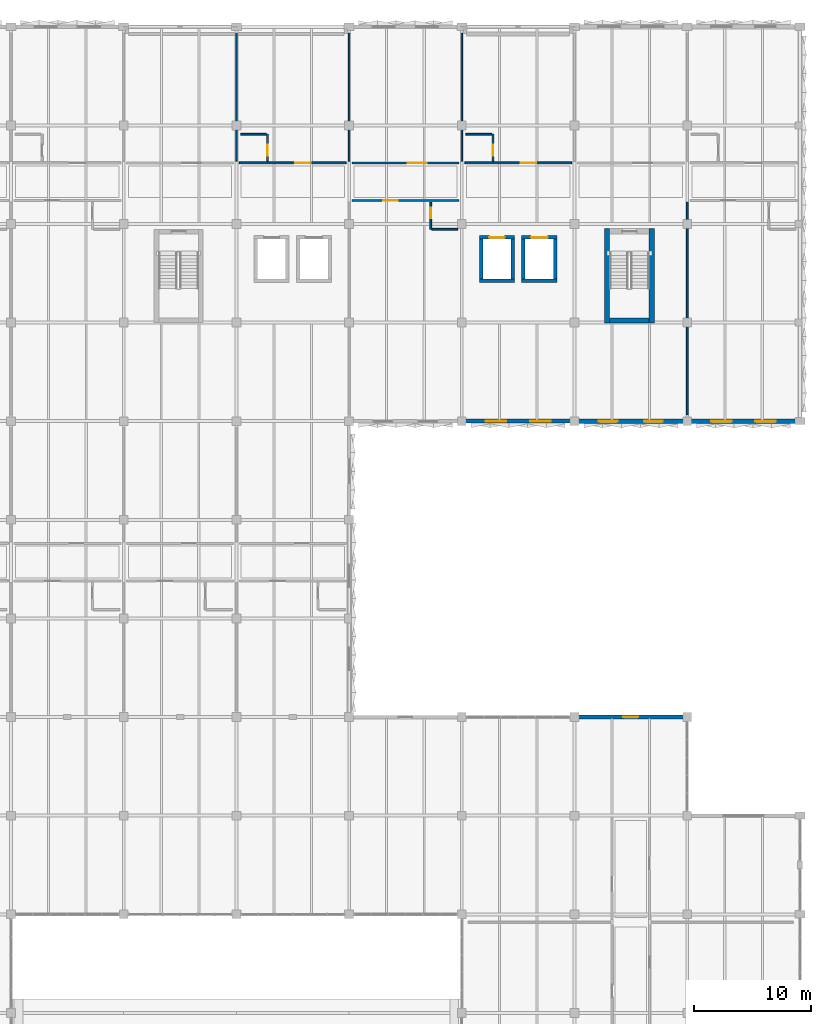
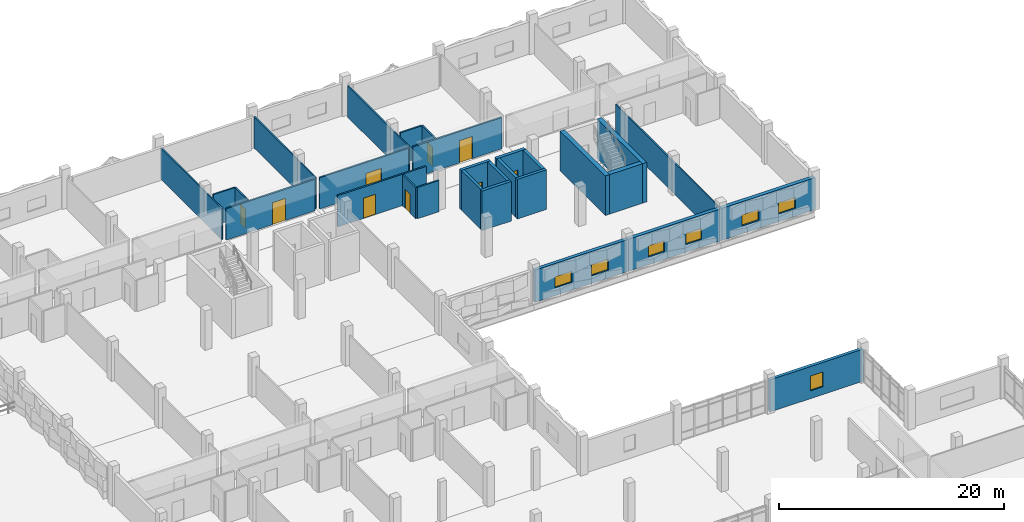
# One storey, part 65 of 86: 29 walls, 9 doors, 7 windows, 16 openings.
"""IFC4 building model written with IfcOpenShell, lengths in metres."""

from ifc_helpers import new_model, si_unit, direction, frame, frame_2d, origin, place, context, subcontext, project, spatial, rectangle, extrude, material, layer, layer_set, type_object, element, fill, save


model = new_model("IFC4")

# Units and contexts
model_context = context("Model", 3, precision=1e-05, world=origin(), true_north=direction((0.0, 1.0)))
body_context = subcontext(model_context, "Body", "Model", "MODEL_VIEW")
ifc_project = project(units=[si_unit("LENGTHUNIT", "METRE"), si_unit("AREAUNIT", "SQUARE_METRE"), si_unit("VOLUMEUNIT", "CUBIC_METRE"), si_unit("PLANEANGLEUNIT", "RADIAN"), si_unit("MASSUNIT", "GRAM", prefix="KILO")], contexts=[model_context])

# Site, building, storey
site_placement = place(None, origin())
site = spatial("IfcSite", under=ifc_project, at=site_placement, CompositionType="ELEMENT")
building_placement = place(site_placement, origin())
building = spatial("IfcBuilding", under=site, at=building_placement, Name="Oolite Switchyard Hospital", CompositionType="ELEMENT")
storey_placement = place(building_placement, frame((0.0, 0.0, 13.5)))
storey = spatial("IfcBuildingStorey", under=building, at=storey_placement, Name="L03", CompositionType="ELEMENT", Elevation=13.5)

# Wall, opening, window
ifc_material_1 = material(Name="Precast oolitic limestone architectural concrete C40/50", Category="masonry")
ifc_layer_1 = layer(ifc_material_1, 0.320068359375)
ifc_layer_set_1 = layer_set([ifc_layer_1], Name="WAL-EXT-320")
wall_type_1 = type_object("IfcWallType", Name="WAL-EXT-320", PredefinedType="SOLIDWALL", material=ifc_layer_set_1)
wall_1_placement = place(storey_placement, frame((192.0, 75.60009765625, 0.0), z_axis=(0.0, 0.0, 1.0), x_axis=(1.0, 0.0, 0.0)))
wall_1 = element("IfcWall", 1, at=wall_1_placement, inside=storey, type_object=wall_type_1, Name="L03 Exterior Spandrel Wall 182", PredefinedType="SOLIDWALL", context=body_context, shape_type="SweptSolid", body=[
    extrude(rectangle(XDim=9.60009765625, YDim=0.320068359375, at=frame_2d((4.800048828125, 0.0))), origin(), (0.0, 0.0, 1.0), 3.489990234375),
])
opening_1_placement = place(wall_1_placement, frame((4.14990234375, 0.0, 0.85009765625)))
opening_1 = element("IfcOpeningElement", 2, at=opening_1_placement, cuts=wall_1, Name="Opening WN-0074", PredefinedType="OPENING", context=body_context, shape_type="SweptSolid", body=[
    extrude(rectangle(XDim=1.300048828125, YDim=1.60009765625, at=frame_2d((0.64990234375, 0.800048828125))), frame((0.0, 0.169921875, 0.0), z_axis=(0.0, -1.0, 0.0), x_axis=(1.0, 0.0, 0.0)), (0.0, 0.0, 1.0), 0.340087890625),
])
ifc_material_2 = material(Name="Thermally broken aluminum frame with laminated impact glazing", Category="aluminium")
window_type_1 = type_object("IfcWindowType", Name="WIN-IMP-130X160", PartitioningType="SINGLE_PANEL", PredefinedType="WINDOW", material=ifc_material_2)
window_1_placement = place(opening_1_placement, origin())
window_1 = element("IfcWindow", 3, at=window_1_placement, inside=storey, type_object=window_type_1, Name="L03 Hurricane Impact Window WN-0074", OverallHeight=1.60009765625, OverallWidth=1.300048828125, PartitioningType="SINGLE_PANEL", PredefinedType="WINDOW", context=body_context, shape_type="SweptSolid", body=[
    extrude(rectangle(XDim=1.300048828125, YDim=1.60009765625, at=frame_2d((0.64990234375, 0.800048828125))), frame((0.0, 0.030029296875, 0.0), z_axis=(0.0, -1.0, 0.0), x_axis=(1.0, 0.0, 0.0)), (0.0, 0.0, 1.0), 0.06005859375),
])
fill(opening_1, window_1)

# Wall, openings, windows
ifc_layer_2 = layer(ifc_material_1, 0.340087890625)
ifc_layer_set_2 = layer_set([ifc_layer_2], Name="WAL-EXT-340")
wall_type_2 = type_object("IfcWallType", Name="WAL-EXT-340", PredefinedType="SOLIDWALL", material=ifc_layer_set_2)
wall_2_placement = place(storey_placement, frame((192.0, 100.800048828125, 0.0), z_axis=(0.0, 0.0, 1.0), x_axis=(-1.0, 0.0, 0.0)))
wall_2 = element("IfcWall", 4, at=wall_2_placement, inside=storey, type_object=wall_type_2, Name="L03 Exterior Spandrel Wall 197", PredefinedType="SOLIDWALL", context=body_context, shape_type="SweptSolid", body=[
    extrude(rectangle(XDim=9.60009765625, YDim=0.340087890625, at=frame_2d((4.800048828125, 0.0))), origin(), (0.0, 0.0, 1.0), 3.489990234375),
])
opening_2_placement = place(wall_2_placement, frame((2.041015625, 0.0, 0.85009765625)))
opening_2 = element("IfcOpeningElement", 5, at=opening_2_placement, cuts=wall_2, Name="Opening WN-0095", PredefinedType="OPENING", context=body_context, shape_type="SweptSolid", body=[
    extrude(rectangle(XDim=1.75, YDim=1.199951171875, at=frame_2d((0.875, 0.60009765625))), frame((0.0, 0.18017578125, 0.0), z_axis=(0.0, -1.0, 0.0), x_axis=(1.0, 0.0, 0.0)), (0.0, 0.0, 1.0), 0.360107421875),
])
opening_3_placement = place(wall_2_placement, frame((5.80908203125, 0.0, 0.85009765625)))
opening_3 = element("IfcOpeningElement", 6, at=opening_3_placement, cuts=wall_2, Name="Opening WN-0096", PredefinedType="OPENING", context=body_context, shape_type="SweptSolid", body=[
    extrude(rectangle(XDim=1.75, YDim=1.199951171875, at=frame_2d((0.875, 0.60009765625))), frame((0.0, 0.18017578125, 0.0), z_axis=(0.0, -1.0, 0.0), x_axis=(1.0, 0.0, 0.0)), (0.0, 0.0, 1.0), 0.360107421875),
])
window_type_2 = type_object("IfcWindowType", Name="WIN-IMP-175X120", PartitioningType="SINGLE_PANEL", PredefinedType="WINDOW", material=ifc_material_2)
window_2_placement = place(opening_2_placement, origin())
window_2 = element("IfcWindow", 7, at=window_2_placement, inside=storey, type_object=window_type_2, Name="L03 Hurricane Impact Window WN-0095", OverallHeight=1.199951171875, OverallWidth=1.75, PartitioningType="SINGLE_PANEL", PredefinedType="WINDOW", context=body_context, shape_type="SweptSolid", body=[
    extrude(rectangle(XDim=1.75, YDim=1.199951171875, at=frame_2d((0.875, 0.60009765625))), frame((0.0, 0.030029296875, 0.0), z_axis=(0.0, -1.0, 0.0), x_axis=(1.0, 0.0, 0.0)), (0.0, 0.0, 1.0), 0.06005859375),
])
fill(opening_2, window_2)
window_3_placement = place(opening_3_placement, origin())
window_3 = element("IfcWindow", 8, at=window_3_placement, inside=storey, type_object=window_type_2, Name="L03 Hurricane Impact Window WN-0096", OverallHeight=1.199951171875, OverallWidth=1.75, PartitioningType="SINGLE_PANEL", PredefinedType="WINDOW", context=body_context, shape_type="SweptSolid", body=[
    extrude(rectangle(XDim=1.75, YDim=1.199951171875, at=frame_2d((0.875, 0.60009765625))), frame((0.0, 0.030029296875, 0.0), z_axis=(0.0, -1.0, 0.0), x_axis=(1.0, 0.0, 0.0)), (0.0, 0.0, 1.0), 0.06005859375),
])
fill(opening_3, window_3)

ifc_layer_3 = layer(ifc_material_1, 0.360107421875)
ifc_layer_set_3 = layer_set([ifc_layer_3], Name="WAL-EXT-360")
wall_type_3 = type_object("IfcWallType", Name="WAL-EXT-360", PredefinedType="SOLIDWALL", material=ifc_layer_set_3)
wall_3_placement = place(storey_placement, frame((201.60009765625, 100.800048828125, 0.0), z_axis=(0.0, 0.0, 1.0), x_axis=(-1.0, 0.0, 0.0)))
wall_3 = element("IfcWall", 9, at=wall_3_placement, inside=storey, type_object=wall_type_3, Name="L03 Exterior Spandrel Wall 198", PredefinedType="SOLIDWALL", context=body_context, shape_type="SweptSolid", body=[
    extrude(rectangle(XDim=9.60009765625, YDim=0.360107421875, at=frame_2d((4.800048828125, 0.0))), origin(), (0.0, 0.0, 1.0), 3.489990234375),
])
opening_4_placement = place(wall_3_placement, frame((2.080078125, 0.0, 0.85009765625)))
opening_4 = element("IfcOpeningElement", 10, at=opening_4_placement, cuts=wall_3, Name="Opening WN-0097", PredefinedType="OPENING", context=body_context, shape_type="SweptSolid", body=[
    extrude(rectangle(XDim=1.60009765625, YDim=1.199951171875, at=frame_2d((0.800048828125, 0.60009765625))), frame((0.0, 0.18994140625, 0.0), z_axis=(0.0, -1.0, 0.0), x_axis=(1.0, 0.0, 0.0)), (0.0, 0.0, 1.0), 0.380126953125),
])
opening_5_placement = place(wall_3_placement, frame((5.919921875, 0.0, 0.85009765625)))
opening_5 = element("IfcOpeningElement", 11, at=opening_5_placement, cuts=wall_3, Name="Opening WN-0098", PredefinedType="OPENING", context=body_context, shape_type="SweptSolid", body=[
    extrude(rectangle(XDim=1.60009765625, YDim=1.199951171875, at=frame_2d((0.800048828125, 0.60009765625))), frame((0.0, 0.18994140625, 0.0), z_axis=(0.0, -1.0, 0.0), x_axis=(1.0, 0.0, 0.0)), (0.0, 0.0, 1.0), 0.380126953125),
])
window_type_3 = type_object("IfcWindowType", Name="WIN-IMP-160X120", PartitioningType="SINGLE_PANEL", PredefinedType="WINDOW", material=ifc_material_2)
window_4_placement = place(opening_4_placement, origin())
window_4 = element("IfcWindow", 12, at=window_4_placement, inside=storey, type_object=window_type_3, Name="L03 Hurricane Impact Window WN-0097", OverallHeight=1.199951171875, OverallWidth=1.60009765625, PartitioningType="SINGLE_PANEL", PredefinedType="WINDOW", context=body_context, shape_type="SweptSolid", body=[
    extrude(rectangle(XDim=1.60009765625, YDim=1.199951171875, at=frame_2d((0.800048828125, 0.60009765625))), frame((0.0, 0.030029296875, 0.0), z_axis=(0.0, -1.0, 0.0), x_axis=(1.0, 0.0, 0.0)), (0.0, 0.0, 1.0), 0.06005859375),
])
fill(opening_4, window_4)
window_5_placement = place(opening_5_placement, origin())
window_5 = element("IfcWindow", 13, at=window_5_placement, inside=storey, type_object=window_type_3, Name="L03 Hurricane Impact Window WN-0098", OverallHeight=1.199951171875, OverallWidth=1.60009765625, PartitioningType="SINGLE_PANEL", PredefinedType="WINDOW", context=body_context, shape_type="SweptSolid", body=[
    extrude(rectangle(XDim=1.60009765625, YDim=1.199951171875, at=frame_2d((0.800048828125, 0.60009765625))), frame((0.0, 0.030029296875, 0.0), z_axis=(0.0, -1.0, 0.0), x_axis=(1.0, 0.0, 0.0)), (0.0, 0.0, 1.0), 0.06005859375),
])
fill(opening_5, window_5)

ifc_layer_4 = layer(ifc_material_1, 0.3798828125)
ifc_layer_set_4 = layer_set([ifc_layer_4], Name="WAL-EXT-380")
wall_type_4 = type_object("IfcWallType", Name="WAL-EXT-380", PredefinedType="SOLIDWALL", material=ifc_layer_set_4)
wall_4_placement = place(storey_placement, frame((211.199951171875, 100.800048828125, 0.0), z_axis=(0.0, 0.0, 1.0), x_axis=(-1.0, 0.0, 0.0)))
wall_4 = element("IfcWall", 14, at=wall_4_placement, inside=storey, type_object=wall_type_4, Name="L03 Exterior Spandrel Wall 199", PredefinedType="SOLIDWALL", context=body_context, shape_type="SweptSolid", body=[
    extrude(rectangle(XDim=9.599853515625, YDim=0.3798828125, at=frame_2d((4.7998046875, 0.0))), origin(), (0.0, 0.0, 1.0), 3.489990234375),
])
opening_6_placement = place(wall_4_placement, frame((2.041015625, 0.0, 0.85009765625)))
opening_6 = element("IfcOpeningElement", 15, at=opening_6_placement, cuts=wall_4, Name="Opening WN-0099", PredefinedType="OPENING", context=body_context, shape_type="SweptSolid", body=[
    extrude(rectangle(XDim=1.75, YDim=1.199951171875, at=frame_2d((0.875, 0.60009765625))), frame((0.0, 0.199951171875, 0.0), z_axis=(0.0, -1.0, 0.0), x_axis=(1.0, 0.0, 0.0)), (0.0, 0.0, 1.0), 0.39990234375),
])
opening_7_placement = place(wall_4_placement, frame((5.80908203125, 0.0, 0.85009765625)))
opening_7 = element("IfcOpeningElement", 16, at=opening_7_placement, cuts=wall_4, Name="Opening WN-0100", PredefinedType="OPENING", context=body_context, shape_type="SweptSolid", body=[
    extrude(rectangle(XDim=1.75, YDim=1.199951171875, at=frame_2d((0.875, 0.60009765625))), frame((0.0, 0.199951171875, 0.0), z_axis=(0.0, -1.0, 0.0), x_axis=(1.0, 0.0, 0.0)), (0.0, 0.0, 1.0), 0.39990234375),
])
window_6_placement = place(opening_6_placement, origin())
window_6 = element("IfcWindow", 17, at=window_6_placement, inside=storey, type_object=window_type_2, Name="L03 Hurricane Impact Window WN-0099", OverallHeight=1.199951171875, OverallWidth=1.75, PartitioningType="SINGLE_PANEL", PredefinedType="WINDOW", context=body_context, shape_type="SweptSolid", body=[
    extrude(rectangle(XDim=1.75, YDim=1.199951171875, at=frame_2d((0.875, 0.60009765625))), frame((0.0, 0.030029296875, 0.0), z_axis=(0.0, -1.0, 0.0), x_axis=(1.0, 0.0, 0.0)), (0.0, 0.0, 1.0), 0.06005859375),
])
fill(opening_6, window_6)
window_7_placement = place(opening_7_placement, origin())
window_7 = element("IfcWindow", 18, at=window_7_placement, inside=storey, type_object=window_type_2, Name="L03 Hurricane Impact Window WN-0100", OverallHeight=1.199951171875, OverallWidth=1.75, PartitioningType="SINGLE_PANEL", PredefinedType="WINDOW", context=body_context, shape_type="SweptSolid", body=[
    extrude(rectangle(XDim=1.75, YDim=1.199951171875, at=frame_2d((0.875, 0.60009765625))), frame((0.0, 0.030029296875, 0.0), z_axis=(0.0, -1.0, 0.0), x_axis=(1.0, 0.0, 0.0)), (0.0, 0.0, 1.0), 0.06005859375),
])
fill(opening_7, window_7)

# Walls
ifc_material_3 = material(Name="Moisture-resistant gypsum board on steel studs", Category="steel")
ifc_layer_5 = layer(ifc_material_3, 0.135009765625)
ifc_layer_set_5 = layer_set([ifc_layer_5], Name="WAL-PART-135")
wall_type_5 = type_object("IfcWallType", Name="WAL-PART-135", PredefinedType="PARTITIONING", material=ifc_layer_set_5)
for number, where, z_axis, x_axis, name in (
    (19, (163.199951171875, 122.949951171875, 0.0), (0.0, 0.0, 1.0), (0.0, 1.0, 0.0), "L03 Interior Partition 681"),
    (20, (172.800048828125, 122.949951171875, 0.0), (0.0, 0.0, 1.0), (0.0, 1.0, 0.0), "L03 Interior Partition 687"),
    (21, (182.39990234375, 122.949951171875, 0.0), (0.0, 0.0, 1.0), (0.0, 1.0, 0.0), "L03 Interior Partition 691"),
):
    element("IfcWall", number, at=place(storey_placement, frame(where, z_axis=z_axis, x_axis=x_axis)), inside=storey, type_object=wall_type_5, Name=name, PredefinedType="PARTITIONING", context=body_context, shape_type="SweptSolid", body=[
        extrude(rectangle(XDim=10.900146484375, YDim=0.135009765625, at=frame_2d((5.4501953125, 0.0))), origin(), (0.0, 0.0, 1.0), 3.39990234375),
    ])
wall_5_placement = place(storey_placement, frame((201.60009765625, 101.35009765625, 0.0), z_axis=(0.0, 0.0, 1.0), x_axis=(0.0, 1.0, 0.0)))
element("IfcWall", 22, at=wall_5_placement, inside=storey, type_object=wall_type_5, Name="L03 Interior Partition 697", PredefinedType="PARTITIONING", context=body_context, shape_type="SweptSolid", body=[
    extrude(rectangle(XDim=18.099853515625, YDim=0.135009765625, at=frame_2d((9.0498046875, 0.0))), origin(), (0.0, 0.0, 1.0), 3.39990234375),
])

# Wall, opening, door
ifc_layer_6 = layer(ifc_material_3, 0.14990234375)
ifc_layer_set_6 = layer_set([ifc_layer_6], Name="WAL-PART-150")
wall_type_6 = type_object("IfcWallType", Name="WAL-PART-150", PredefinedType="PARTITIONING", material=ifc_layer_set_6)
wall_6_placement = place(storey_placement, frame((165.85009765625, 122.949951171875, 0.0), z_axis=(0.0, 0.0, 1.0), x_axis=(0.0, 1.0, 0.0)))
wall_6 = element("IfcWall", 23, at=wall_6_placement, inside=storey, type_object=wall_type_6, Name="L03 Interior Partition 679", PredefinedType="PARTITIONING", context=body_context, shape_type="SweptSolid", body=[
    extrude(rectangle(XDim=2.300048828125, YDim=0.14990234375, at=frame_2d((1.14990234375, 0.0))), origin(), (0.0, 0.0, 1.0), 3.39990234375),
])
opening_8_placement = place(wall_6_placement, frame((0.449951171875, 0.0, 0.0)))
opening_8 = element("IfcOpeningElement", 24, at=opening_8_placement, cuts=wall_6, Name="Opening D-0380", PredefinedType="OPENING", context=body_context, shape_type="SweptSolid", body=[
    extrude(rectangle(XDim=0.949951171875, YDim=2.10009765625, at=frame_2d((0.47509765625, 1.050048828125))), frame((0.0, 0.0849609375, 0.0), z_axis=(0.0, -1.0, 0.0), x_axis=(1.0, 0.0, 0.0)), (0.0, 0.0, 1.0), 0.169921875),
])
ifc_material_4 = material(Name="Solid-core antimicrobial hardwood leaf in steel frame", Category="steel")
door_type_1 = type_object("IfcDoorType", Name="DR-BATH-095X210", OperationType="NOTDEFINED", PredefinedType="DOOR", material=ifc_material_4)
door_1_placement = place(opening_8_placement, origin())
door_1 = element("IfcDoor", 25, at=door_1_placement, inside=storey, type_object=door_type_1, Name="L03 Interior Door D-0380", OperationType="SINGLE_SWING_RIGHT", OverallHeight=2.10009765625, OverallWidth=0.949951171875, PredefinedType="DOOR", context=body_context, shape_type="SweptSolid", body=[
    extrude(rectangle(XDim=0.949951171875, YDim=2.10009765625, at=frame_2d((0.47509765625, 1.050048828125))), frame((0.0, 0.02490234375, 0.0), z_axis=(0.0, -1.0, 0.0), x_axis=(1.0, 0.0, 0.0)), (0.0, 0.0, 1.0), 0.050048828125),
])
fill(opening_8, door_1)

# Wall
wall_7_placement = place(storey_placement, frame((163.550048828125, 125.25, 0.0), z_axis=(0.0, 0.0, 1.0), x_axis=(1.0, 0.0, 0.0)))
element("IfcWall", 26, at=wall_7_placement, inside=storey, type_object=wall_type_6, Name="L03 Interior Partition 680", PredefinedType="PARTITIONING", context=body_context, shape_type="SweptSolid", body=[
    extrude(rectangle(XDim=2.199951171875, YDim=0.14990234375, at=frame_2d((1.10009765625, 0.0))), origin(), (0.0, 0.0, 1.0), 3.39990234375),
])

# Wall, opening, door
wall_8_placement = place(storey_placement, frame((179.75, 117.14990234375, 0.0), z_axis=(0.0, 0.0, 1.0), x_axis=(0.0, 1.0, 0.0)))
wall_8 = element("IfcWall", 27, at=wall_8_placement, inside=storey, type_object=wall_type_6, Name="L03 Interior Partition 683", PredefinedType="PARTITIONING", context=body_context, shape_type="SweptSolid", body=[
    extrude(rectangle(XDim=2.300048828125, YDim=0.14990234375, at=frame_2d((1.14990234375, 0.0))), origin(), (0.0, 0.0, 1.0), 3.39990234375),
])
opening_9_placement = place(wall_8_placement, frame((0.949951171875, 0.0, 0.0)))
opening_9 = element("IfcOpeningElement", 28, at=opening_9_placement, cuts=wall_8, Name="Opening D-0382", PredefinedType="OPENING", context=body_context, shape_type="SweptSolid", body=[
    extrude(rectangle(XDim=0.89990234375, YDim=2.10009765625, at=frame_2d((0.449951171875, 1.050048828125))), frame((0.0, 0.0849609375, 0.0), z_axis=(0.0, -1.0, 0.0), x_axis=(1.0, 0.0, 0.0)), (0.0, 0.0, 1.0), 0.169921875),
])
door_type_2 = type_object("IfcDoorType", Name="DR-BATH-090X210", OperationType="NOTDEFINED", PredefinedType="DOOR", material=ifc_material_4)
door_2_placement = place(opening_9_placement, origin())
door_2 = element("IfcDoor", 29, at=door_2_placement, inside=storey, type_object=door_type_2, Name="L03 Interior Door D-0382", OperationType="SINGLE_SWING_RIGHT", OverallHeight=2.10009765625, OverallWidth=0.89990234375, PredefinedType="DOOR", context=body_context, shape_type="SweptSolid", body=[
    extrude(rectangle(XDim=0.89990234375, YDim=2.10009765625, at=frame_2d((0.449951171875, 1.050048828125))), frame((0.0, 0.02490234375, 0.0), z_axis=(0.0, -1.0, 0.0), x_axis=(1.0, 0.0, 0.0)), (0.0, 0.0, 1.0), 0.050048828125),
])
fill(opening_9, door_2)

# Wall
wall_9_placement = place(storey_placement, frame((179.85009765625, 117.14990234375, 0.0), z_axis=(0.0, 0.0, 1.0), x_axis=(1.0, 0.0, 0.0)))
element("IfcWall", 30, at=wall_9_placement, inside=storey, type_object=wall_type_6, Name="L03 Interior Partition 684", PredefinedType="PARTITIONING", context=body_context, shape_type="SweptSolid", body=[
    extrude(rectangle(XDim=2.199951171875, YDim=0.14990234375, at=frame_2d((1.10009765625, 0.0))), origin(), (0.0, 0.0, 1.0), 3.39990234375),
])

# Wall, opening, door
wall_10_placement = place(storey_placement, frame((185.050048828125, 122.949951171875, 0.0), z_axis=(0.0, 0.0, 1.0), x_axis=(0.0, 1.0, 0.0)))
wall_10 = element("IfcWall", 31, at=wall_10_placement, inside=storey, type_object=wall_type_6, Name="L03 Interior Partition 689", PredefinedType="PARTITIONING", context=body_context, shape_type="SweptSolid", body=[
    extrude(rectangle(XDim=2.300048828125, YDim=0.14990234375, at=frame_2d((1.14990234375, 0.0))), origin(), (0.0, 0.0, 1.0), 3.39990234375),
])
opening_10_placement = place(wall_10_placement, frame((0.449951171875, 0.0, 0.0)))
opening_10 = element("IfcOpeningElement", 32, at=opening_10_placement, cuts=wall_10, Name="Opening D-0385", PredefinedType="OPENING", context=body_context, shape_type="SweptSolid", body=[
    extrude(rectangle(XDim=0.949951171875, YDim=2.10009765625, at=frame_2d((0.47509765625, 1.050048828125))), frame((0.0, 0.0849609375, 0.0), z_axis=(0.0, -1.0, 0.0), x_axis=(1.0, 0.0, 0.0)), (0.0, 0.0, 1.0), 0.169921875),
])
door_3_placement = place(opening_10_placement, origin())
door_3 = element("IfcDoor", 33, at=door_3_placement, inside=storey, type_object=door_type_1, Name="L03 Interior Door D-0385", OperationType="SINGLE_SWING_RIGHT", OverallHeight=2.10009765625, OverallWidth=0.949951171875, PredefinedType="DOOR", context=body_context, shape_type="SweptSolid", body=[
    extrude(rectangle(XDim=0.949951171875, YDim=2.10009765625, at=frame_2d((0.47509765625, 1.050048828125))), frame((0.0, 0.02490234375, 0.0), z_axis=(0.0, -1.0, 0.0), x_axis=(1.0, 0.0, 0.0)), (0.0, 0.0, 1.0), 0.050048828125),
])
fill(opening_10, door_3)

# Wall
wall_11_placement = place(storey_placement, frame((182.75, 125.25, 0.0), z_axis=(0.0, 0.0, 1.0), x_axis=(1.0, 0.0, 0.0)))
element("IfcWall", 34, at=wall_11_placement, inside=storey, type_object=wall_type_6, Name="L03 Interior Partition 690", PredefinedType="PARTITIONING", context=body_context, shape_type="SweptSolid", body=[
    extrude(rectangle(XDim=2.199951171875, YDim=0.14990234375, at=frame_2d((1.10009765625, 0.0))), origin(), (0.0, 0.0, 1.0), 3.39990234375),
])

# Wall, opening, door
ifc_layer_7 = layer(ifc_material_3, 0.1650390625)
ifc_layer_set_7 = layer_set([ifc_layer_7], Name="WAL-PART-165")
wall_type_7 = type_object("IfcWallType", Name="WAL-PART-165", PredefinedType="PARTITIONING", material=ifc_layer_set_7)
wall_12_placement = place(storey_placement, frame((163.449951171875, 122.800048828125, 0.0), z_axis=(0.0, 0.0, 1.0), x_axis=(1.0, 0.0, 0.0)))
wall_12 = element("IfcWall", 35, at=wall_12_placement, inside=storey, type_object=wall_type_7, Name="L03 Interior Partition 678", PredefinedType="PARTITIONING", context=body_context, shape_type="SweptSolid", body=[
    extrude(rectangle(XDim=9.10009765625, YDim=0.1650390625, at=frame_2d((4.550048828125, 0.0))), origin(), (0.0, 0.0, 1.0), 3.39990234375),
])
opening_11_placement = place(wall_12_placement, frame((4.75, 0.0, 0.0)))
opening_11 = element("IfcOpeningElement", 36, at=opening_11_placement, cuts=wall_12, Name="Opening D-0379", PredefinedType="OPENING", context=body_context, shape_type="SweptSolid", body=[
    extrude(rectangle(XDim=1.35009765625, YDim=2.39990234375, at=frame_2d((0.675048828125, 1.199951171875))), frame((0.0, 0.092529296875, 0.0), z_axis=(0.0, -1.0, 0.0), x_axis=(1.0, 0.0, 0.0)), (0.0, 0.0, 1.0), 0.18505859375),
])
door_type_3 = type_object("IfcDoorType", Name="DR-ICU-135X240", OperationType="NOTDEFINED", PredefinedType="DOOR", material=ifc_material_4)
door_4_placement = place(opening_11_placement, origin())
door_4 = element("IfcDoor", 37, at=door_4_placement, inside=storey, type_object=door_type_3, Name="L03 Interior Door D-0379", OperationType="SINGLE_SWING_LEFT", OverallHeight=2.39990234375, OverallWidth=1.35009765625, PredefinedType="DOOR", context=body_context, shape_type="SweptSolid", body=[
    extrude(rectangle(XDim=1.35009765625, YDim=2.39990234375, at=frame_2d((0.675048828125, 1.199951171875))), frame((0.0, 0.02490234375, 0.0), z_axis=(0.0, -1.0, 0.0), x_axis=(1.0, 0.0, 0.0)), (0.0, 0.0, 1.0), 0.050048828125),
])
fill(opening_11, door_4)

wall_13_placement = place(storey_placement, frame((173.050048828125, 119.60009765625, 0.0), z_axis=(0.0, 0.0, 1.0), x_axis=(1.0, 0.0, 0.0)))
wall_13 = element("IfcWall", 38, at=wall_13_placement, inside=storey, type_object=wall_type_7, Name="L03 Interior Partition 682", PredefinedType="PARTITIONING", context=body_context, shape_type="SweptSolid", body=[
    extrude(rectangle(XDim=9.099853515625, YDim=0.1650390625, at=frame_2d((4.5498046875, 0.0))), origin(), (0.0, 0.0, 1.0), 3.39990234375),
])
opening_12_placement = place(wall_13_placement, frame((2.64990234375, 0.0, 0.0)))
opening_12 = element("IfcOpeningElement", 39, at=opening_12_placement, cuts=wall_13, Name="Opening D-0381", PredefinedType="OPENING", context=body_context, shape_type="SweptSolid", body=[
    extrude(rectangle(XDim=1.25, YDim=2.199951171875, at=frame_2d((0.625, 1.10009765625))), frame((0.0, 0.092529296875, 0.0), z_axis=(0.0, -1.0, 0.0), x_axis=(1.0, 0.0, 0.0)), (0.0, 0.0, 1.0), 0.18505859375),
])
door_type_4 = type_object("IfcDoorType", Name="DR-WARD-125X220", OperationType="NOTDEFINED", PredefinedType="DOOR", material=ifc_material_4)
door_5_placement = place(opening_12_placement, origin())
door_5 = element("IfcDoor", 40, at=door_5_placement, inside=storey, type_object=door_type_4, Name="L03 Interior Door D-0381", OperationType="SINGLE_SWING_LEFT", OverallHeight=2.199951171875, OverallWidth=1.25, PredefinedType="DOOR", context=body_context, shape_type="SweptSolid", body=[
    extrude(rectangle(XDim=1.25, YDim=2.199951171875, at=frame_2d((0.625, 1.10009765625))), frame((0.0, 0.02490234375, 0.0), z_axis=(0.0, -1.0, 0.0), x_axis=(1.0, 0.0, 0.0)), (0.0, 0.0, 1.0), 0.050048828125),
])
fill(opening_12, door_5)

wall_14_placement = place(storey_placement, frame((173.050048828125, 122.800048828125, 0.0), z_axis=(0.0, 0.0, 1.0), x_axis=(1.0, 0.0, 0.0)))
wall_14 = element("IfcWall", 41, at=wall_14_placement, inside=storey, type_object=wall_type_7, Name="L03 Interior Partition 686", PredefinedType="PARTITIONING", context=body_context, shape_type="SweptSolid", body=[
    extrude(rectangle(XDim=9.099853515625, YDim=0.1650390625, at=frame_2d((4.5498046875, 0.0))), origin(), (0.0, 0.0, 1.0), 3.39990234375),
])
opening_13_placement = place(wall_14_placement, frame((4.75, 0.0, 0.0)))
opening_13 = element("IfcOpeningElement", 42, at=opening_13_placement, cuts=wall_14, Name="Opening D-0383", PredefinedType="OPENING", context=body_context, shape_type="SweptSolid", body=[
    extrude(rectangle(XDim=1.60009765625, YDim=2.199951171875, at=frame_2d((0.800048828125, 1.10009765625))), frame((0.0, 0.092529296875, 0.0), z_axis=(0.0, -1.0, 0.0), x_axis=(1.0, 0.0, 0.0)), (0.0, 0.0, 1.0), 0.18505859375),
])
ifc_material_5 = material(Name="Hollow metal fire-rated steel door assembly", Category="steel")
door_type_5 = type_object("IfcDoorType", Name="DR-DBL-160X220", OperationType="NOTDEFINED", PredefinedType="DOOR", material=ifc_material_5)
door_6_placement = place(opening_13_placement, origin())
door_6 = element("IfcDoor", 43, at=door_6_placement, inside=storey, type_object=door_type_5, Name="L03 Interior Door D-0383", OperationType="DOUBLE_DOOR_SINGLE_SWING", OverallHeight=2.199951171875, OverallWidth=1.60009765625, PredefinedType="DOOR", context=body_context, shape_type="SweptSolid", body=[
    extrude(rectangle(XDim=1.60009765625, YDim=2.199951171875, at=frame_2d((0.800048828125, 1.10009765625))), frame((0.0, 0.02490234375, 0.0), z_axis=(0.0, -1.0, 0.0), x_axis=(1.0, 0.0, 0.0)), (0.0, 0.0, 1.0), 0.050048828125),
])
fill(opening_13, door_6)

wall_15_placement = place(storey_placement, frame((182.64990234375, 122.800048828125, 0.0), z_axis=(0.0, 0.0, 1.0), x_axis=(1.0, 0.0, 0.0)))
wall_15 = element("IfcWall", 44, at=wall_15_placement, inside=storey, type_object=wall_type_7, Name="L03 Interior Partition 688", PredefinedType="PARTITIONING", context=body_context, shape_type="SweptSolid", body=[
    extrude(rectangle(XDim=9.10009765625, YDim=0.1650390625, at=frame_2d((4.550048828125, 0.0))), origin(), (0.0, 0.0, 1.0), 3.39990234375),
])
opening_14_placement = place(wall_15_placement, frame((4.75, 0.0, 0.0)))
opening_14 = element("IfcOpeningElement", 45, at=opening_14_placement, cuts=wall_15, Name="Opening D-0384", PredefinedType="OPENING", context=body_context, shape_type="SweptSolid", body=[
    extrude(rectangle(XDim=1.35009765625, YDim=2.39990234375, at=frame_2d((0.675048828125, 1.199951171875))), frame((0.0, 0.092529296875, 0.0), z_axis=(0.0, -1.0, 0.0), x_axis=(1.0, 0.0, 0.0)), (0.0, 0.0, 1.0), 0.18505859375),
])
door_7_placement = place(opening_14_placement, origin())
door_7 = element("IfcDoor", 46, at=door_7_placement, inside=storey, type_object=door_type_3, Name="L03 Interior Door D-0384", OperationType="SINGLE_SWING_LEFT", OverallHeight=2.39990234375, OverallWidth=1.35009765625, PredefinedType="DOOR", context=body_context, shape_type="SweptSolid", body=[
    extrude(rectangle(XDim=1.35009765625, YDim=2.39990234375, at=frame_2d((0.675048828125, 1.199951171875))), frame((0.0, 0.02490234375, 0.0), z_axis=(0.0, -1.0, 0.0), x_axis=(1.0, 0.0, 0.0)), (0.0, 0.0, 1.0), 0.050048828125),
])
fill(opening_14, door_7)

# Walls
ifc_material_6 = material(Name="Concrete C50/60", Category="concrete")
ifc_layer_8 = layer(ifc_material_6, 0.300048828125)
ifc_layer_set_8 = layer_set([ifc_layer_8], Name="WAL-SHR-300")
wall_type_8 = type_object("IfcWallType", Name="WAL-SHR-300", PredefinedType="SHEAR", material=ifc_layer_set_8)
wall_16_placement = place(storey_placement, frame((183.89990234375, 112.75, 0.0), z_axis=(0.0, 0.0, 1.0), x_axis=(1.0, 0.0, 0.0)))
element("IfcWall", 47, at=wall_16_placement, inside=storey, type_object=wall_type_8, Name="L03 Lift Shaft Shear Wall EL-03", PredefinedType="SHEAR", context=body_context, shape_type="SweptSolid", body=[
    extrude(rectangle(XDim=3.0, YDim=0.300048828125, at=frame_2d((1.5, 0.0))), origin(), (0.0, 0.0, 1.0), 4.300048828125),
])
wall_17_placement = place(storey_placement, frame((186.75, 112.89990234375, 0.0), z_axis=(0.0, 0.0, 1.0), x_axis=(0.0, 1.0, 0.0)))
element("IfcWall", 48, at=wall_17_placement, inside=storey, type_object=wall_type_8, Name="L03 Lift Shaft Shear Wall EL-03", PredefinedType="SHEAR", context=body_context, shape_type="SweptSolid", body=[
    extrude(rectangle(XDim=3.400146484375, YDim=0.300048828125, at=frame_2d((1.7001953125, 0.0))), origin(), (0.0, 0.0, 1.0), 4.300048828125),
])

# Wall, opening, door
wall_18_placement = place(storey_placement, frame((186.89990234375, 116.449951171875, 0.0), z_axis=(0.0, 0.0, 1.0), x_axis=(-1.0, 0.0, 0.0)))
wall_18 = element("IfcWall", 49, at=wall_18_placement, inside=storey, type_object=wall_type_8, Name="L03 Lift Shaft Shear Wall EL-03", PredefinedType="SHEAR", context=body_context, shape_type="SweptSolid", body=[
    extrude(rectangle(XDim=3.0, YDim=0.300048828125, at=frame_2d((1.5, 0.0))), origin(), (0.0, 0.0, 1.0), 4.300048828125),
])
opening_15_placement = place(wall_18_placement, frame((0.85009765625, 0.0, 0.0)))
opening_15 = element("IfcOpeningElement", 50, at=opening_15_placement, cuts=wall_18, Name="Opening LD-022", PredefinedType="OPENING", context=body_context, shape_type="SweptSolid", body=[
    extrude(rectangle(XDim=1.300048828125, YDim=2.300048828125, at=frame_2d((0.64990234375, 1.14990234375))), frame((0.0, 0.16015625, 0.0), z_axis=(0.0, -1.0, 0.0), x_axis=(1.0, 0.0, 0.0)), (0.0, 0.0, 1.0), 0.320068359375),
])
ifc_material_7 = material(Name="Brushed stainless steel fire-rated sliding landing door", Category="steel")
door_type_6 = type_object("IfcDoorType", Name="DR-LD-130X230", OperationType="NOTDEFINED", PredefinedType="DOOR", material=ifc_material_7)
door_8_placement = place(opening_15_placement, origin())
door_8 = element("IfcDoor", 51, at=door_8_placement, inside=storey, type_object=door_type_6, Name="L03 EL-03 Lift Landing Door LD-022", OperationType="SLIDING_TO_RIGHT", OverallHeight=2.300048828125, OverallWidth=1.300048828125, PredefinedType="DOOR", context=body_context, shape_type="SweptSolid", body=[
    extrude(rectangle(XDim=1.300048828125, YDim=2.300048828125, at=frame_2d((0.64990234375, 1.14990234375))), frame((0.0, 0.02490234375, 0.0), z_axis=(0.0, -1.0, 0.0), x_axis=(1.0, 0.0, 0.0)), (0.0, 0.0, 1.0), 0.050048828125),
])
fill(opening_15, door_8)

# Walls
wall_19_placement = place(storey_placement, frame((184.050048828125, 116.300048828125, 0.0), z_axis=(0.0, 0.0, 1.0), x_axis=(0.0, -1.0, 0.0)))
element("IfcWall", 52, at=wall_19_placement, inside=storey, type_object=wall_type_8, Name="L03 Lift Shaft Shear Wall EL-03", PredefinedType="SHEAR", context=body_context, shape_type="SweptSolid", body=[
    extrude(rectangle(XDim=3.400146484375, YDim=0.300048828125, at=frame_2d((1.7001953125, 0.0))), origin(), (0.0, 0.0, 1.0), 4.300048828125),
])
wall_20_placement = place(storey_placement, frame((187.5, 112.75, 0.0), z_axis=(0.0, 0.0, 1.0), x_axis=(1.0, 0.0, 0.0)))
element("IfcWall", 53, at=wall_20_placement, inside=storey, type_object=wall_type_8, Name="L03 Lift Shaft Shear Wall EL-04", PredefinedType="SHEAR", context=body_context, shape_type="SweptSolid", body=[
    extrude(rectangle(XDim=3.0, YDim=0.300048828125, at=frame_2d((1.5, 0.0))), origin(), (0.0, 0.0, 1.0), 4.300048828125),
])
wall_21_placement = place(storey_placement, frame((190.35009765625, 112.89990234375, 0.0), z_axis=(0.0, 0.0, 1.0), x_axis=(0.0, 1.0, 0.0)))
element("IfcWall", 54, at=wall_21_placement, inside=storey, type_object=wall_type_8, Name="L03 Lift Shaft Shear Wall EL-04", PredefinedType="SHEAR", context=body_context, shape_type="SweptSolid", body=[
    extrude(rectangle(XDim=3.400146484375, YDim=0.300048828125, at=frame_2d((1.7001953125, 0.0))), origin(), (0.0, 0.0, 1.0), 4.300048828125),
])

# Wall, opening, door
wall_22_placement = place(storey_placement, frame((190.5, 116.449951171875, 0.0), z_axis=(0.0, 0.0, 1.0), x_axis=(-1.0, 0.0, 0.0)))
wall_22 = element("IfcWall", 55, at=wall_22_placement, inside=storey, type_object=wall_type_8, Name="L03 Lift Shaft Shear Wall EL-04", PredefinedType="SHEAR", context=body_context, shape_type="SweptSolid", body=[
    extrude(rectangle(XDim=3.0, YDim=0.300048828125, at=frame_2d((1.5, 0.0))), origin(), (0.0, 0.0, 1.0), 4.300048828125),
])
opening_16_placement = place(wall_22_placement, frame((0.800048828125, 0.0, 0.0)))
opening_16 = element("IfcOpeningElement", 56, at=opening_16_placement, cuts=wall_22, Name="Opening LD-030", PredefinedType="OPENING", context=body_context, shape_type="SweptSolid", body=[
    extrude(rectangle(XDim=1.39990234375, YDim=2.300048828125, at=frame_2d((0.699951171875, 1.14990234375))), frame((0.0, 0.16015625, 0.0), z_axis=(0.0, -1.0, 0.0), x_axis=(1.0, 0.0, 0.0)), (0.0, 0.0, 1.0), 0.320068359375),
])
door_type_7 = type_object("IfcDoorType", Name="DR-LD-140X230", OperationType="NOTDEFINED", PredefinedType="DOOR", material=ifc_material_7)
door_9_placement = place(opening_16_placement, origin())
door_9 = element("IfcDoor", 57, at=door_9_placement, inside=storey, type_object=door_type_7, Name="L03 EL-04 Lift Landing Door LD-030", OperationType="SLIDING_TO_RIGHT", OverallHeight=2.300048828125, OverallWidth=1.39990234375, PredefinedType="DOOR", context=body_context, shape_type="SweptSolid", body=[
    extrude(rectangle(XDim=1.39990234375, YDim=2.300048828125, at=frame_2d((0.699951171875, 1.14990234375))), frame((0.0, 0.02490234375, 0.0), z_axis=(0.0, -1.0, 0.0), x_axis=(1.0, 0.0, 0.0)), (0.0, 0.0, 1.0), 0.050048828125),
])
fill(opening_16, door_9)

# Walls
wall_23_placement = place(storey_placement, frame((187.64990234375, 116.300048828125, 0.0), z_axis=(0.0, 0.0, 1.0), x_axis=(0.0, -1.0, 0.0)))
element("IfcWall", 58, at=wall_23_placement, inside=storey, type_object=wall_type_8, Name="L03 Lift Shaft Shear Wall EL-04", PredefinedType="SHEAR", context=body_context, shape_type="SweptSolid", body=[
    extrude(rectangle(XDim=3.400146484375, YDim=0.300048828125, at=frame_2d((1.7001953125, 0.0))), origin(), (0.0, 0.0, 1.0), 4.300048828125),
])
ifc_layer_9 = layer(ifc_material_6, 0.449951171875)
ifc_layer_set_9 = layer_set([ifc_layer_9], Name="WAL-SHR-450")
wall_type_9 = type_object("IfcWallType", Name="WAL-SHR-450", PredefinedType="SHEAR", material=ifc_layer_set_9)
wall_24_placement = place(storey_placement, frame((194.77490234375, 117.199951171875, 0.0), z_axis=(0.0, 0.0, 1.0), x_axis=(0.0, -1.0, 0.0)))
element("IfcWall", 59, at=wall_24_placement, inside=storey, type_object=wall_type_9, Name="L03 Core Shear Wall ST-04", PredefinedType="SHEAR", context=body_context, shape_type="SweptSolid", body=[
    extrude(rectangle(XDim=8.050048828125, YDim=0.449951171875, at=frame_2d((4.02490234375, 0.0))), origin(), (0.0, 0.0, 1.0), 4.300048828125),
])
wall_25_placement = place(storey_placement, frame((195.0, 109.375, 0.0), z_axis=(0.0, 0.0, 1.0), x_axis=(1.0, 0.0, 0.0)))
element("IfcWall", 60, at=wall_25_placement, inside=storey, type_object=wall_type_9, Name="L03 Core Shear Wall ST-04", PredefinedType="SHEAR", context=body_context, shape_type="SweptSolid", body=[
    extrude(rectangle(XDim=3.360107421875, YDim=0.449951171875, at=frame_2d((1.68017578125, 0.0))), origin(), (0.0, 0.0, 1.0), 4.300048828125),
])
wall_26_placement = place(storey_placement, frame((198.5849609375, 109.14990234375, 0.0), z_axis=(0.0, 0.0, 1.0), x_axis=(0.0, 1.0, 0.0)))
element("IfcWall", 61, at=wall_26_placement, inside=storey, type_object=wall_type_9, Name="L03 Core Shear Wall ST-04", PredefinedType="SHEAR", context=body_context, shape_type="SweptSolid", body=[
    extrude(rectangle(XDim=8.050048828125, YDim=0.449951171875, at=frame_2d((4.02490234375, 0.0))), origin(), (0.0, 0.0, 1.0), 4.300048828125),
])

save(model, "model.ifc")
